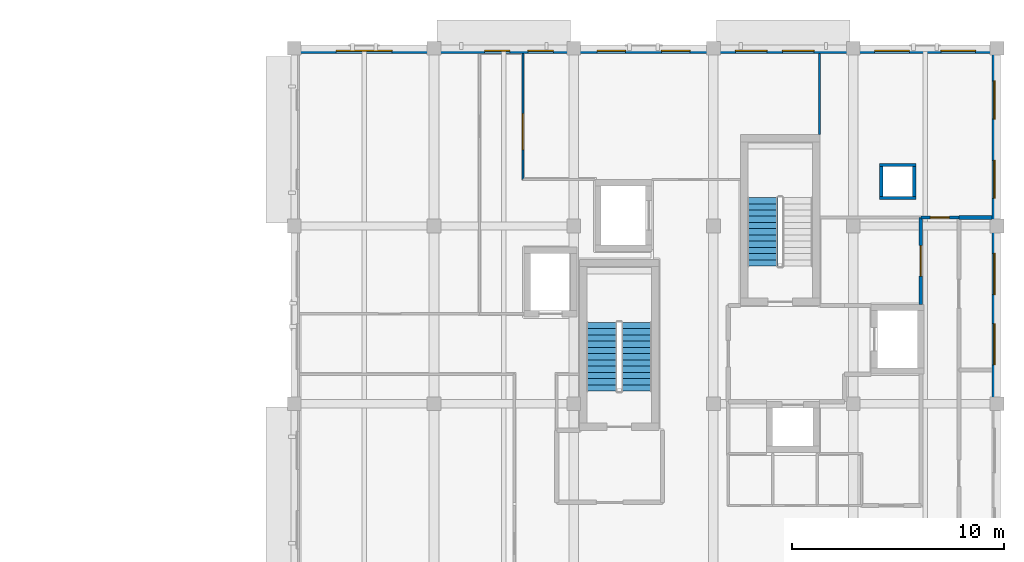
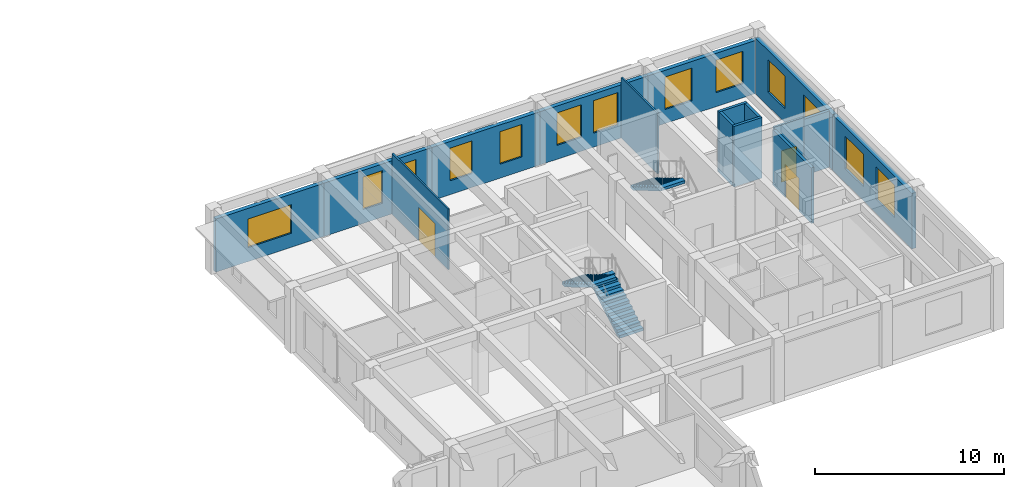
# One storey, part 10 of 14: 16 walls, 13 windows, 3 doors, 3 stair flights, 16 openings, 2 elements without a shape of their own.
"""IFC4 building model written with IfcOpenShell, lengths in metres."""

from ifc_helpers import new_model, si_unit, direction, frame, frame_2d, origin, place, context, subcontext, project, spatial, polyline, rectangle, outline, extrude, material, layer, layer_set, type_object, element, fill, aggregate, save


model = new_model("IFC4")

# Units and contexts
model_context = context("Model", 3, precision=1e-05, world=origin(), true_north=direction((0.0, 1.0)))
body_context = subcontext(model_context, "Body", "Model", "MODEL_VIEW")
ifc_project = project(units=[si_unit("LENGTHUNIT", "METRE"), si_unit("AREAUNIT", "SQUARE_METRE"), si_unit("VOLUMEUNIT", "CUBIC_METRE"), si_unit("PLANEANGLEUNIT", "RADIAN"), si_unit("MASSUNIT", "GRAM", prefix="KILO")], contexts=[model_context])

# Site, building, storey
site_placement = place(None, origin())
site = spatial("IfcSite", under=ifc_project, at=site_placement, CompositionType="ELEMENT")
building_placement = place(site_placement, origin())
building = spatial("IfcBuilding", under=site, at=building_placement, Name="Kolvaren Faculty of Natural Sciences", CompositionType="ELEMENT")
storey_placement = place(building_placement, frame((0.0, 0.0, 28.5)))
storey = spatial("IfcBuildingStorey", under=building, at=storey_placement, Name="L06", CompositionType="ELEMENT", Elevation=28.5)

# Wall, opening, door
ifc_material_1 = material(Name="Acoustic mineral-wool insulated gypsum partition")
ifc_layer_1 = layer(ifc_material_1, 0.159912109375)
ifc_layer_set_1 = layer_set([ifc_layer_1], Name="Acoustic mineral-wool insulated gypsum partition")
wall_type_1 = type_object("IfcWallType", Name="ClassroomPartitionWall_160", PredefinedType="PARTITIONING", material=ifc_layer_set_1)
wall_1_placement = place(storey_placement, frame((168.39990234375, 76.199951171875, 0.0), z_axis=(0.0, 0.0, 1.0), x_axis=(0.0, -1.0, 0.0)))
wall_1 = element("IfcWall", 1, at=wall_1_placement, inside=storey, type_object=wall_type_1, Name="L06 interior partition PW-160", PredefinedType="PARTITIONING", context=body_context, shape_type="SweptSolid", body=[
    extrude(rectangle(XDim=4.097900390625, YDim=0.159912109375, at=frame_2d((2.048828125, 0.0))), origin(), (0.0, 0.0, 1.0), 3.5849609375),
])
opening_1_placement = place(wall_1_placement, frame((1.3291015625, 0.0, 0.0)))
opening_1 = element("IfcOpeningElement", 2, at=opening_1_placement, cuts=wall_1, Name="Opening ID-27", PredefinedType="OPENING", context=body_context, shape_type="SweptSolid", body=[
    extrude(rectangle(XDim=1.43994140625, YDim=2.139892578125, at=frame_2d((0.719970703125, 1.06982421875))), frame((0.0, 0.08984375, 0.0), z_axis=(0.0, -1.0, 0.0), x_axis=(1.0, 0.0, 0.0)), (0.0, 0.0, 1.0), 0.179931640625),
])
ifc_material_2 = material(Name="Thermally broken anodised aluminium glazed door", Category="aluminium")
door_type_1 = type_object("IfcDoorType", Name="InteriorRoomDoor_1440x2140", OperationType="DOUBLE_DOOR_SINGLE_SWING", PredefinedType="DOOR", material=ifc_material_2)
door_1_placement = place(opening_1_placement, origin())
door_1 = element("IfcDoor", 3, at=door_1_placement, inside=storey, type_object=door_type_1, Name="D-L06-0346", OperationType="DOUBLE_DOOR_SINGLE_SWING", OverallHeight=2.139892578125, OverallWidth=1.43994140625, PredefinedType="DOOR", context=body_context, shape_type="SweptSolid", body=[
    extrude(rectangle(XDim=1.43994140625, YDim=2.139892578125, at=frame_2d((0.719970703125, 1.06982421875))), frame((0.0, 0.02490234375, 0.0), z_axis=(0.0, -1.0, 0.0), x_axis=(1.0, 0.0, 0.0)), (0.0, 0.0, 1.0), 0.050048828125),
])
fill(opening_1, door_1)

ifc_layer_2 = layer(ifc_material_1, 0.14501953125)
ifc_layer_set_2 = layer_set([ifc_layer_2], Name="Acoustic mineral-wool insulated gypsum partition")
wall_type_2 = type_object("IfcWallType", Name="CommonsPartitionWall_145", PredefinedType="PARTITIONING", material=ifc_layer_set_2)
wall_2_placement = place(storey_placement, frame((170.199951171875, 76.199951171875, 0.0), z_axis=(0.0, 0.0, 1.0), x_axis=(-1.0, 0.0, 0.0)))
wall_2 = element("IfcWall", 4, at=wall_2_placement, inside=storey, type_object=wall_type_2, Name="L06 interior partition PW-145", PredefinedType="PARTITIONING", context=body_context, shape_type="SweptSolid", body=[
    extrude(rectangle(XDim=1.800048828125, YDim=0.14501953125, at=frame_2d((0.89990234375, 0.0))), origin(), (0.0, 0.0, 1.0), 3.735107421875),
])
opening_2_placement = place(wall_2_placement, frame((0.449951171875, 0.0, 0.0)))
opening_2 = element("IfcOpeningElement", 5, at=opening_2_placement, cuts=wall_2, Name="Opening ID-01", PredefinedType="OPENING", context=body_context, shape_type="SweptSolid", body=[
    extrude(rectangle(XDim=0.89990234375, YDim=2.02001953125, at=frame_2d((0.449951171875, 1.010009765625))), frame((0.0, 0.08251953125, 0.0), z_axis=(0.0, -1.0, 0.0), x_axis=(1.0, 0.0, 0.0)), (0.0, 0.0, 1.0), 0.1650390625),
])
ifc_material_3 = material(Name="Solid-core hardwood veneer door leaf in steel frame", Category="steel")
door_type_2 = type_object("IfcDoorType", Name="InteriorRoomDoor_900x2020", OperationType="NOTDEFINED", PredefinedType="DOOR", material=ifc_material_3)
door_2_placement = place(opening_2_placement, origin())
door_2 = element("IfcDoor", 6, at=door_2_placement, inside=storey, type_object=door_type_2, Name="D-L06-0347", OperationType="SINGLE_SWING_LEFT", OverallHeight=2.02001953125, OverallWidth=0.89990234375, PredefinedType="DOOR", context=body_context, shape_type="SweptSolid", body=[
    extrude(rectangle(XDim=0.89990234375, YDim=2.02001953125, at=frame_2d((0.449951171875, 1.010009765625))), frame((0.0, 0.02490234375, 0.0), z_axis=(0.0, -1.0, 0.0), x_axis=(1.0, 0.0, 0.0)), (0.0, 0.0, 1.0), 0.050048828125),
])
fill(opening_2, door_2)

ifc_layer_3 = layer(ifc_material_1, 0.094970703125)
ifc_layer_set_3 = layer_set([ifc_layer_3], Name="Acoustic mineral-wool insulated gypsum partition")
wall_type_3 = type_object("IfcWallType", Name="CubiclePartition_095", PredefinedType="PARTITIONING", material=ifc_layer_set_3)
wall_3_placement = place(storey_placement, frame((149.60009765625, 78.0, 0.0), z_axis=(0.0, 0.0, 1.0), x_axis=(0.0, 1.0, 0.0)))
wall_3 = element("IfcWall", 7, at=wall_3_placement, inside=storey, type_object=wall_type_3, Name="L06 interior partition PW-095", PredefinedType="PARTITIONING", context=body_context, shape_type="SweptSolid", body=[
    extrude(rectangle(XDim=5.947998046875, YDim=0.094970703125, at=frame_2d((2.97412109375, 0.0))), origin(), (0.0, 0.0, 1.0), 3.9150390625),
])
opening_3_placement = place(wall_3_placement, frame((1.41015625, 0.0, 0.0)))
opening_3 = element("IfcOpeningElement", 8, at=opening_3_placement, cuts=wall_3, Name="Opening ID-30", PredefinedType="OPENING", context=body_context, shape_type="SweptSolid", body=[
    extrude(rectangle(XDim=1.699951171875, YDim=2.139892578125, at=frame_2d((0.85009765625, 1.06982421875))), frame((0.0, 0.057373046875, 0.0), z_axis=(0.0, -1.0, 0.0), x_axis=(1.0, 0.0, 0.0)), (0.0, 0.0, 1.0), 0.114990234375),
])
door_type_3 = type_object("IfcDoorType", Name="InteriorRoomDoor_1700x2140", OperationType="DOUBLE_DOOR_SINGLE_SWING", PredefinedType="DOOR", material=ifc_material_2)
door_3_placement = place(opening_3_placement, origin())
door_3 = element("IfcDoor", 9, at=door_3_placement, inside=storey, type_object=door_type_3, Name="D-L06-0349", OperationType="DOUBLE_DOOR_SINGLE_SWING", OverallHeight=2.139892578125, OverallWidth=1.699951171875, PredefinedType="DOOR", context=body_context, shape_type="SweptSolid", body=[
    extrude(rectangle(XDim=1.699951171875, YDim=2.139892578125, at=frame_2d((0.85009765625, 1.06982421875))), frame((0.0, 0.02490234375, 0.0), z_axis=(0.0, -1.0, 0.0), x_axis=(1.0, 0.0, 0.0)), (0.0, 0.0, 1.0), 0.050048828125),
])
fill(opening_3, door_3)

# Wall
wall_4_placement = place(storey_placement, frame((163.60009765625, 83.947998046875, 0.0), z_axis=(0.0, 0.0, 1.0), x_axis=(0.0, -1.0, 0.0)))
element("IfcWall", 10, at=wall_4_placement, inside=storey, type_object=wall_type_3, Name="L06 interior partition PW-095", PredefinedType="PARTITIONING", context=body_context, shape_type="SweptSolid", body=[
    extrude(rectangle(XDim=3.821044921875, YDim=0.094970703125, at=frame_2d((1.91064453125, 0.0))), origin(), (0.0, 0.0, 1.0), 3.9150390625),
])

# Wall, opening, window
ifc_material_4 = material(Name="Precast concrete C35/45", Category="concrete")
ifc_layer_4 = layer(ifc_material_4, 0.25)
ifc_layer_set_4 = layer_set([ifc_layer_4], Name="Precast concrete C35/45")
wall_type_4 = type_object("IfcWallType", Name="ExteriorTowerWall_250", PredefinedType="STANDARD", material=ifc_layer_set_4)
wall_5_placement = place(storey_placement, frame((138.800048828125, 84.074951171875, 0.0), z_axis=(0.0, 0.0, 1.0), x_axis=(1.0, 0.0, 0.0)))
wall_5 = element("IfcWall", 11, at=wall_5_placement, inside=storey, type_object=wall_type_4, Name="L06 exterior masonry wall EW-250 (692)", PredefinedType="STANDARD", context=body_context, shape_type="SweptSolid", body=[
    extrude(rectangle(XDim=6.599853515625, YDim=0.25, at=frame_2d((3.2998046875, 0.0))), origin(), (0.0, 0.0, 1.0), 3.43505859375),
])
opening_4_placement = place(wall_5_placement, frame((1.97509765625, 0.0, 0.89990234375)))
opening_4 = element("IfcOpeningElement", 12, at=opening_4_placement, cuts=wall_5, Name="Opening WIN-24", PredefinedType="OPENING", context=body_context, shape_type="SweptSolid", body=[
    extrude(rectangle(XDim=2.64990234375, YDim=1.85009765625, at=frame_2d((1.324951171875, 0.925048828125))), frame((0.0, 0.135009765625, 0.0), z_axis=(0.0, -1.0, 0.0), x_axis=(1.0, 0.0, 0.0)), (0.0, 0.0, 1.0), 0.27001953125),
])
ifc_material_5 = material(Name="Double low-E solar control insulated glazing", Category="glass")
window_type_1 = type_object("IfcWindowType", Name="AluWindow_WIN24_2650x1850", PartitioningType="SINGLE_PANEL", PredefinedType="WINDOW", material=ifc_material_5)
window_1_placement = place(opening_4_placement, origin())
window_1 = element("IfcWindow", 13, at=window_1_placement, inside=storey, type_object=window_type_1, Name="WIN-L06-0526", OverallHeight=1.85009765625, OverallWidth=2.64990234375, PartitioningType="SINGLE_PANEL", PredefinedType="WINDOW", context=body_context, shape_type="SweptSolid", body=[
    extrude(rectangle(XDim=2.64990234375, YDim=1.85009765625, at=frame_2d((1.324951171875, 0.925048828125))), frame((0.0, 0.030029296875, 0.0), z_axis=(0.0, -1.0, 0.0), x_axis=(1.0, 0.0, 0.0)), (0.0, 0.0, 1.0), 0.06005859375),
])
fill(opening_4, window_1)

# Wall, openings, windows
wall_6_placement = place(storey_placement, frame((145.39990234375, 84.074951171875, 0.0), z_axis=(0.0, 0.0, 1.0), x_axis=(1.0, 0.0, 0.0)))
wall_6 = element("IfcWall", 14, at=wall_6_placement, inside=storey, type_object=wall_type_4, Name="L06 exterior masonry wall EW-250 (693)", PredefinedType="STANDARD", context=body_context, shape_type="SweptSolid", body=[
    extrude(rectangle(XDim=6.60009765625, YDim=0.25, at=frame_2d((3.300048828125, 0.0))), origin(), (0.0, 0.0, 1.0), 3.43505859375),
])
opening_5_placement = place(wall_6_placement, frame((2.389892578125, 0.0, 0.89990234375)))
opening_5 = element("IfcOpeningElement", 15, at=opening_5_placement, cuts=wall_6, Name="Opening WIN-01", PredefinedType="OPENING", context=body_context, shape_type="SweptSolid", body=[
    extrude(rectangle(XDim=1.199951171875, YDim=2.10009765625, at=frame_2d((0.60009765625, 1.050048828125))), frame((0.0, 0.135009765625, 0.0), z_axis=(0.0, -1.0, 0.0), x_axis=(1.0, 0.0, 0.0)), (0.0, 0.0, 1.0), 0.27001953125),
])
opening_6_placement = place(wall_6_placement, frame((4.43994140625, 0.0, 0.89990234375)))
opening_6 = element("IfcOpeningElement", 16, at=opening_6_placement, cuts=wall_6, Name="Opening WIN-01", PredefinedType="OPENING", context=body_context, shape_type="SweptSolid", body=[
    extrude(rectangle(XDim=1.199951171875, YDim=2.10009765625, at=frame_2d((0.60009765625, 1.050048828125))), frame((0.0, 0.135009765625, 0.0), z_axis=(0.0, -1.0, 0.0), x_axis=(1.0, 0.0, 0.0)), (0.0, 0.0, 1.0), 0.27001953125),
])
window_type_2 = type_object("IfcWindowType", Name="AluWindow_WIN01_1200x2100", PartitioningType="SINGLE_PANEL", PredefinedType="WINDOW", material=ifc_material_5)
window_2_placement = place(opening_5_placement, origin())
window_2 = element("IfcWindow", 17, at=window_2_placement, inside=storey, type_object=window_type_2, Name="WIN-L06-0527", OverallHeight=2.10009765625, OverallWidth=1.199951171875, PartitioningType="SINGLE_PANEL", PredefinedType="WINDOW", context=body_context, shape_type="SweptSolid", body=[
    extrude(rectangle(XDim=1.199951171875, YDim=2.10009765625, at=frame_2d((0.60009765625, 1.050048828125))), frame((0.0, 0.030029296875, 0.0), z_axis=(0.0, -1.0, 0.0), x_axis=(1.0, 0.0, 0.0)), (0.0, 0.0, 1.0), 0.06005859375),
])
fill(opening_5, window_2)
window_3_placement = place(opening_6_placement, origin())
window_3 = element("IfcWindow", 18, at=window_3_placement, inside=storey, type_object=window_type_2, Name="WIN-L06-0528", OverallHeight=2.10009765625, OverallWidth=1.199951171875, PartitioningType="SINGLE_PANEL", PredefinedType="WINDOW", context=body_context, shape_type="SweptSolid", body=[
    extrude(rectangle(XDim=1.199951171875, YDim=2.10009765625, at=frame_2d((0.60009765625, 1.050048828125))), frame((0.0, 0.030029296875, 0.0), z_axis=(0.0, -1.0, 0.0), x_axis=(1.0, 0.0, 0.0)), (0.0, 0.0, 1.0), 0.06005859375),
])
fill(opening_6, window_3)

wall_7_placement = place(storey_placement, frame((152.0, 84.074951171875, 0.0), z_axis=(0.0, 0.0, 1.0), x_axis=(1.0, 0.0, 0.0)))
wall_7 = element("IfcWall", 19, at=wall_7_placement, inside=storey, type_object=wall_type_4, Name="L06 exterior masonry wall EW-250 (694)", PredefinedType="STANDARD", context=body_context, shape_type="SweptSolid", body=[
    extrude(rectangle(XDim=6.60009765625, YDim=0.25, at=frame_2d((3.300048828125, 0.0))), origin(), (0.0, 0.0, 1.0), 3.43505859375),
])
opening_7_placement = place(wall_7_placement, frame((1.10693359375, 0.0, 0.89990234375)))
opening_7 = element("IfcOpeningElement", 20, at=opening_7_placement, cuts=wall_7, Name="Opening WIN-02", PredefinedType="OPENING", context=body_context, shape_type="SweptSolid", body=[
    extrude(rectangle(XDim=1.35009765625, YDim=2.10009765625, at=frame_2d((0.675048828125, 1.050048828125))), frame((0.0, 0.135009765625, 0.0), z_axis=(0.0, -1.0, 0.0), x_axis=(1.0, 0.0, 0.0)), (0.0, 0.0, 1.0), 0.27001953125),
])
opening_8_placement = place(wall_7_placement, frame((4.14306640625, 0.0, 0.89990234375)))
opening_8 = element("IfcOpeningElement", 21, at=opening_8_placement, cuts=wall_7, Name="Opening WIN-02", PredefinedType="OPENING", context=body_context, shape_type="SweptSolid", body=[
    extrude(rectangle(XDim=1.35009765625, YDim=2.10009765625, at=frame_2d((0.675048828125, 1.050048828125))), frame((0.0, 0.135009765625, 0.0), z_axis=(0.0, -1.0, 0.0), x_axis=(1.0, 0.0, 0.0)), (0.0, 0.0, 1.0), 0.27001953125),
])
window_type_3 = type_object("IfcWindowType", Name="AluWindow_WIN02_1350x2100", PartitioningType="SINGLE_PANEL", PredefinedType="WINDOW", material=ifc_material_5)
window_4_placement = place(opening_7_placement, origin())
window_4 = element("IfcWindow", 22, at=window_4_placement, inside=storey, type_object=window_type_3, Name="WIN-L06-0529", OverallHeight=2.10009765625, OverallWidth=1.35009765625, PartitioningType="SINGLE_PANEL", PredefinedType="WINDOW", context=body_context, shape_type="SweptSolid", body=[
    extrude(rectangle(XDim=1.35009765625, YDim=2.10009765625, at=frame_2d((0.675048828125, 1.050048828125))), frame((0.0, 0.030029296875, 0.0), z_axis=(0.0, -1.0, 0.0), x_axis=(1.0, 0.0, 0.0)), (0.0, 0.0, 1.0), 0.06005859375),
])
fill(opening_7, window_4)
window_5_placement = place(opening_8_placement, origin())
window_5 = element("IfcWindow", 23, at=window_5_placement, inside=storey, type_object=window_type_3, Name="WIN-L06-0530", OverallHeight=2.10009765625, OverallWidth=1.35009765625, PartitioningType="SINGLE_PANEL", PredefinedType="WINDOW", context=body_context, shape_type="SweptSolid", body=[
    extrude(rectangle(XDim=1.35009765625, YDim=2.10009765625, at=frame_2d((0.675048828125, 1.050048828125))), frame((0.0, 0.030029296875, 0.0), z_axis=(0.0, -1.0, 0.0), x_axis=(1.0, 0.0, 0.0)), (0.0, 0.0, 1.0), 0.06005859375),
])
fill(opening_8, window_5)

wall_8_placement = place(storey_placement, frame((158.60009765625, 84.074951171875, 0.0), z_axis=(0.0, 0.0, 1.0), x_axis=(1.0, 0.0, 0.0)))
wall_8 = element("IfcWall", 24, at=wall_8_placement, inside=storey, type_object=wall_type_4, Name="L06 exterior masonry wall EW-250 (695)", PredefinedType="STANDARD", context=body_context, shape_type="SweptSolid", body=[
    extrude(rectangle(XDim=6.599853515625, YDim=0.25, at=frame_2d((3.2998046875, 0.0))), origin(), (0.0, 0.0, 1.0), 3.43505859375),
])
opening_9_placement = place(wall_8_placement, frame((1.031982421875, 0.0, 0.89990234375)))
opening_9 = element("IfcOpeningElement", 25, at=opening_9_placement, cuts=wall_8, Name="Opening WIN-03", PredefinedType="OPENING", context=body_context, shape_type="SweptSolid", body=[
    extrude(rectangle(XDim=1.5, YDim=2.10009765625, at=frame_2d((0.75, 1.050048828125))), frame((0.0, 0.135009765625, 0.0), z_axis=(0.0, -1.0, 0.0), x_axis=(1.0, 0.0, 0.0)), (0.0, 0.0, 1.0), 0.27001953125),
])
opening_10_placement = place(wall_8_placement, frame((3.260009765625, 0.0, 0.89990234375)))
opening_10 = element("IfcOpeningElement", 26, at=opening_10_placement, cuts=wall_8, Name="Opening WIN-03", PredefinedType="OPENING", context=body_context, shape_type="SweptSolid", body=[
    extrude(rectangle(XDim=1.5, YDim=2.10009765625, at=frame_2d((0.75, 1.050048828125))), frame((0.0, 0.135009765625, 0.0), z_axis=(0.0, -1.0, 0.0), x_axis=(1.0, 0.0, 0.0)), (0.0, 0.0, 1.0), 0.27001953125),
])
window_type_4 = type_object("IfcWindowType", Name="AluWindow_WIN03_1500x2100", PartitioningType="SINGLE_PANEL", PredefinedType="WINDOW", material=ifc_material_5)
window_6_placement = place(opening_9_placement, origin())
window_6 = element("IfcWindow", 27, at=window_6_placement, inside=storey, type_object=window_type_4, Name="WIN-L06-0531", OverallHeight=2.10009765625, OverallWidth=1.5, PartitioningType="SINGLE_PANEL", PredefinedType="WINDOW", context=body_context, shape_type="SweptSolid", body=[
    extrude(rectangle(XDim=1.5, YDim=2.10009765625, at=frame_2d((0.75, 1.050048828125))), frame((0.0, 0.030029296875, 0.0), z_axis=(0.0, -1.0, 0.0), x_axis=(1.0, 0.0, 0.0)), (0.0, 0.0, 1.0), 0.06005859375),
])
fill(opening_9, window_6)
window_7_placement = place(opening_10_placement, origin())
window_7 = element("IfcWindow", 28, at=window_7_placement, inside=storey, type_object=window_type_4, Name="WIN-L06-0532", OverallHeight=2.10009765625, OverallWidth=1.5, PartitioningType="SINGLE_PANEL", PredefinedType="WINDOW", context=body_context, shape_type="SweptSolid", body=[
    extrude(rectangle(XDim=1.5, YDim=2.10009765625, at=frame_2d((0.75, 1.050048828125))), frame((0.0, 0.030029296875, 0.0), z_axis=(0.0, -1.0, 0.0), x_axis=(1.0, 0.0, 0.0)), (0.0, 0.0, 1.0), 0.06005859375),
])
fill(opening_10, window_7)

wall_9_placement = place(storey_placement, frame((165.199951171875, 84.074951171875, 0.0), z_axis=(0.0, 0.0, 1.0), x_axis=(1.0, 0.0, 0.0)))
wall_9 = element("IfcWall", 29, at=wall_9_placement, inside=storey, type_object=wall_type_4, Name="L06 exterior masonry wall EW-250 (696)", PredefinedType="STANDARD", context=body_context, shape_type="SweptSolid", body=[
    extrude(rectangle(XDim=6.800048828125, YDim=0.25, at=frame_2d((3.39990234375, 0.0))), origin(), (0.0, 0.0, 1.0), 3.43505859375),
])
opening_11_placement = place(wall_9_placement, frame((1.010986328125, 0.0, 0.89990234375)))
opening_11 = element("IfcOpeningElement", 30, at=opening_11_placement, cuts=wall_9, Name="Opening WIN-04", PredefinedType="OPENING", context=body_context, shape_type="SweptSolid", body=[
    extrude(rectangle(XDim=1.64990234375, YDim=2.10009765625, at=frame_2d((0.824951171875, 1.050048828125))), frame((0.0, 0.135009765625, 0.0), z_axis=(0.0, -1.0, 0.0), x_axis=(1.0, 0.0, 0.0)), (0.0, 0.0, 1.0), 0.27001953125),
])
opening_12_placement = place(wall_9_placement, frame((4.138916015625, 0.0, 0.89990234375)))
opening_12 = element("IfcOpeningElement", 31, at=opening_12_placement, cuts=wall_9, Name="Opening WIN-04", PredefinedType="OPENING", context=body_context, shape_type="SweptSolid", body=[
    extrude(rectangle(XDim=1.64990234375, YDim=2.10009765625, at=frame_2d((0.824951171875, 1.050048828125))), frame((0.0, 0.135009765625, 0.0), z_axis=(0.0, -1.0, 0.0), x_axis=(1.0, 0.0, 0.0)), (0.0, 0.0, 1.0), 0.27001953125),
])
window_type_5 = type_object("IfcWindowType", Name="AluWindow_WIN04_1650x2100", PartitioningType="SINGLE_PANEL", PredefinedType="WINDOW", material=ifc_material_5)
window_8_placement = place(opening_11_placement, origin())
window_8 = element("IfcWindow", 32, at=window_8_placement, inside=storey, type_object=window_type_5, Name="WIN-L06-0533", OverallHeight=2.10009765625, OverallWidth=1.64990234375, PartitioningType="SINGLE_PANEL", PredefinedType="WINDOW", context=body_context, shape_type="SweptSolid", body=[
    extrude(rectangle(XDim=1.64990234375, YDim=2.10009765625, at=frame_2d((0.824951171875, 1.050048828125))), frame((0.0, 0.030029296875, 0.0), z_axis=(0.0, -1.0, 0.0), x_axis=(1.0, 0.0, 0.0)), (0.0, 0.0, 1.0), 0.06005859375),
])
fill(opening_11, window_8)
window_9_placement = place(opening_12_placement, origin())
window_9 = element("IfcWindow", 33, at=window_9_placement, inside=storey, type_object=window_type_5, Name="WIN-L06-0534", OverallHeight=2.10009765625, OverallWidth=1.64990234375, PartitioningType="SINGLE_PANEL", PredefinedType="WINDOW", context=body_context, shape_type="SweptSolid", body=[
    extrude(rectangle(XDim=1.64990234375, YDim=2.10009765625, at=frame_2d((0.824951171875, 1.050048828125))), frame((0.0, 0.030029296875, 0.0), z_axis=(0.0, -1.0, 0.0), x_axis=(1.0, 0.0, 0.0)), (0.0, 0.0, 1.0), 0.06005859375),
])
fill(opening_12, window_9)

wall_10_placement = place(storey_placement, frame((171.875, 83.949951171875, 0.0), z_axis=(0.0, 0.0, 1.0), x_axis=(0.0, -1.0, 0.0)))
wall_10 = element("IfcWall", 34, at=wall_10_placement, inside=storey, type_object=wall_type_4, Name="L06 exterior masonry wall EW-250 (697)", PredefinedType="STANDARD", context=body_context, shape_type="SweptSolid", body=[
    extrude(rectangle(XDim=8.14990234375, YDim=0.25, at=frame_2d((4.074951171875, 0.0))), origin(), (0.0, 0.0, 1.0), 3.5849609375),
])
opening_13_placement = place(wall_10_placement, frame((1.300537109375, 0.0, 0.89990234375)))
opening_13 = element("IfcOpeningElement", 35, at=opening_13_placement, cuts=wall_10, Name="Opening WIN-05", PredefinedType="OPENING", context=body_context, shape_type="SweptSolid", body=[
    extrude(rectangle(XDim=1.800048828125, YDim=2.10009765625, at=frame_2d((0.89990234375, 1.050048828125))), frame((0.0, 0.135009765625, 0.0), z_axis=(0.0, -1.0, 0.0), x_axis=(1.0, 0.0, 0.0)), (0.0, 0.0, 1.0), 0.27001953125),
])
opening_14_placement = place(wall_10_placement, frame((5.049560546875, 0.0, 0.89990234375)))
opening_14 = element("IfcOpeningElement", 36, at=opening_14_placement, cuts=wall_10, Name="Opening WIN-05", PredefinedType="OPENING", context=body_context, shape_type="SweptSolid", body=[
    extrude(rectangle(XDim=1.800048828125, YDim=2.10009765625, at=frame_2d((0.89990234375, 1.050048828125))), frame((0.0, 0.135009765625, 0.0), z_axis=(0.0, -1.0, 0.0), x_axis=(1.0, 0.0, 0.0)), (0.0, 0.0, 1.0), 0.27001953125),
])
window_type_6 = type_object("IfcWindowType", Name="AluWindow_WIN05_1800x2100", PartitioningType="SINGLE_PANEL", PredefinedType="WINDOW", material=ifc_material_5)
window_10_placement = place(opening_13_placement, origin())
window_10 = element("IfcWindow", 37, at=window_10_placement, inside=storey, type_object=window_type_6, Name="WIN-L06-0535", OverallHeight=2.10009765625, OverallWidth=1.800048828125, PartitioningType="SINGLE_PANEL", PredefinedType="WINDOW", context=body_context, shape_type="SweptSolid", body=[
    extrude(rectangle(XDim=1.800048828125, YDim=2.10009765625, at=frame_2d((0.89990234375, 1.050048828125))), frame((0.0, 0.030029296875, 0.0), z_axis=(0.0, -1.0, 0.0), x_axis=(1.0, 0.0, 0.0)), (0.0, 0.0, 1.0), 0.06005859375),
])
fill(opening_13, window_10)
window_11_placement = place(opening_14_placement, origin())
window_11 = element("IfcWindow", 38, at=window_11_placement, inside=storey, type_object=window_type_6, Name="WIN-L06-0536", OverallHeight=2.10009765625, OverallWidth=1.800048828125, PartitioningType="SINGLE_PANEL", PredefinedType="WINDOW", context=body_context, shape_type="SweptSolid", body=[
    extrude(rectangle(XDim=1.800048828125, YDim=2.10009765625, at=frame_2d((0.89990234375, 1.050048828125))), frame((0.0, 0.030029296875, 0.0), z_axis=(0.0, -1.0, 0.0), x_axis=(1.0, 0.0, 0.0)), (0.0, 0.0, 1.0), 0.06005859375),
])
fill(opening_14, window_11)

wall_11_placement = place(storey_placement, frame((171.875, 75.800048828125, 0.0), z_axis=(0.0, 0.0, 1.0), x_axis=(0.0, -1.0, 0.0)))
wall_11 = element("IfcWall", 39, at=wall_11_placement, inside=storey, type_object=wall_type_4, Name="L06 exterior masonry wall EW-250 (698)", PredefinedType="STANDARD", context=body_context, shape_type="SweptSolid", body=[
    extrude(rectangle(XDim=8.400146484375, YDim=0.25, at=frame_2d((4.2001953125, 0.0))), origin(), (0.0, 0.0, 1.0), 3.5849609375),
])
opening_15_placement = place(wall_11_placement, frame((1.29296875, 0.0, 0.89990234375)))
opening_15 = element("IfcOpeningElement", 40, at=opening_15_placement, cuts=wall_11, Name="Opening WIN-06", PredefinedType="OPENING", context=body_context, shape_type="SweptSolid", body=[
    extrude(rectangle(XDim=1.949951171875, YDim=2.10009765625, at=frame_2d((0.97509765625, 1.050048828125))), frame((0.0, 0.135009765625, 0.0), z_axis=(0.0, -1.0, 0.0), x_axis=(1.0, 0.0, 0.0)), (0.0, 0.0, 1.0), 0.27001953125),
])
opening_16_placement = place(wall_11_placement, frame((4.610107421875, 0.0, 0.89990234375)))
opening_16 = element("IfcOpeningElement", 41, at=opening_16_placement, cuts=wall_11, Name="Opening WIN-06", PredefinedType="OPENING", context=body_context, shape_type="SweptSolid", body=[
    extrude(rectangle(XDim=1.949951171875, YDim=2.10009765625, at=frame_2d((0.97509765625, 1.050048828125))), frame((0.0, 0.135009765625, 0.0), z_axis=(0.0, -1.0, 0.0), x_axis=(1.0, 0.0, 0.0)), (0.0, 0.0, 1.0), 0.27001953125),
])
window_type_7 = type_object("IfcWindowType", Name="AluWindow_WIN06_1950x2100", PartitioningType="SINGLE_PANEL", PredefinedType="WINDOW", material=ifc_material_5)
window_12_placement = place(opening_15_placement, origin())
window_12 = element("IfcWindow", 42, at=window_12_placement, inside=storey, type_object=window_type_7, Name="WIN-L06-0537", OverallHeight=2.10009765625, OverallWidth=1.949951171875, PartitioningType="SINGLE_PANEL", PredefinedType="WINDOW", context=body_context, shape_type="SweptSolid", body=[
    extrude(rectangle(XDim=1.949951171875, YDim=2.10009765625, at=frame_2d((0.97509765625, 1.050048828125))), frame((0.0, 0.030029296875, 0.0), z_axis=(0.0, -1.0, 0.0), x_axis=(1.0, 0.0, 0.0)), (0.0, 0.0, 1.0), 0.06005859375),
])
fill(opening_15, window_12)
window_13_placement = place(opening_16_placement, origin())
window_13 = element("IfcWindow", 43, at=window_13_placement, inside=storey, type_object=window_type_7, Name="WIN-L06-0538", OverallHeight=2.10009765625, OverallWidth=1.949951171875, PartitioningType="SINGLE_PANEL", PredefinedType="WINDOW", context=body_context, shape_type="SweptSolid", body=[
    extrude(rectangle(XDim=1.949951171875, YDim=2.10009765625, at=frame_2d((0.97509765625, 1.050048828125))), frame((0.0, 0.030029296875, 0.0), z_axis=(0.0, -1.0, 0.0), x_axis=(1.0, 0.0, 0.0)), (0.0, 0.0, 1.0), 0.06005859375),
])
fill(opening_16, window_13)

# Walls
ifc_material_6 = material(Name="Double fire-rated gypsum board on 100 mm steel stud", Category="steel")
ifc_layer_5 = layer(ifc_material_6, 0.159912109375)
ifc_layer_set_5 = layer_set([ifc_layer_5], Name="Double fire-rated gypsum board on 100 mm steel stud")
wall_type_5 = type_object("IfcWallType", Name="RiserShaftWall_160", PredefinedType="PARTITIONING", material=ifc_layer_set_5)
for number, where, z_axis, x_axis, name in (
    (44, (166.43994140625, 77.1201171875, 0.0), (0.0, 0.0, 1.0), (1.0, 0.0, 0.0), "L06 service riser shaft wall S"),
    (45, (166.43994140625, 78.679931640625, 0.0), (0.0, 0.0, 1.0), (1.0, 0.0, 0.0), "L06 service riser shaft wall N"),
):
    element("IfcWall", number, at=place(storey_placement, frame(where, z_axis=z_axis, x_axis=x_axis)), inside=storey, type_object=wall_type_5, Name=name, PredefinedType="PARTITIONING", context=body_context, shape_type="SweptSolid", body=[
        extrude(rectangle(XDim=1.719970703125, YDim=0.159912109375, at=frame_2d((0.85986328125, 0.0))), origin(), (0.0, 0.0, 1.0), 3.9150390625),
    ])
for number, where, z_axis, x_axis, name in (
    (46, (166.52001953125, 77.199951171875, 0.0), (0.0, 0.0, 1.0), (0.0, 1.0, 0.0), "L06 service riser shaft wall W"),
    (47, (168.080078125, 77.199951171875, 0.0), (0.0, 0.0, 1.0), (0.0, 1.0, 0.0), "L06 service riser shaft wall E"),
):
    element("IfcWall", number, at=place(storey_placement, frame(where, z_axis=z_axis, x_axis=x_axis)), inside=storey, type_object=wall_type_5, Name=name, PredefinedType="PARTITIONING", context=body_context, shape_type="SweptSolid", body=[
        extrude(rectangle(XDim=1.400146484375, YDim=0.159912109375, at=frame_2d((0.7001953125, 0.0))), origin(), (0.0, 0.0, 1.0), 3.9150390625),
    ])
ifc_layer_6 = layer(ifc_material_1, 0.169921875)
ifc_layer_set_6 = layer_set([ifc_layer_6], Name="Acoustic mineral-wool insulated gypsum partition")
wall_type_6 = type_object("IfcWallType", Name="SeminarPartitionWall_170", PredefinedType="PARTITIONING", material=ifc_layer_set_6)
wall_12_placement = place(storey_placement, frame((170.199951171875, 76.199951171875, 0.0), z_axis=(0.0, 0.0, 1.0), x_axis=(1.0, 0.0, 0.0)))
element("IfcWall", 48, at=wall_12_placement, inside=storey, type_object=wall_type_6, Name="L06 interior partition PW-170", PredefinedType="PARTITIONING", context=body_context, shape_type="SweptSolid", body=[
    extrude(rectangle(XDim=1.548095703125, YDim=0.169921875, at=frame_2d((0.77392578125, 0.0))), origin(), (0.0, 0.0, 1.0), 3.635009765625),
])

# Stair, stair flight
ifc_material_7 = material(Name="Concrete C35/45", Category="concrete")
stair_type = type_object("IfcStairType", Name="DoglegStair_H4200", PredefinedType="HALF_TURN_STAIR", material=ifc_material_7)
stair_1_placement = place(storey_placement, origin())
stair_1 = element("IfcStair", 49, at=stair_1_placement, inside=storey, type_object=stair_type, Name="L06 Protected exit stair ST-1", PredefinedType="HALF_TURN_STAIR")
stair_flight_type = type_object("IfcStairFlightType", Name="StairFlight_R1750", PredefinedType="STRAIGHT", material=ifc_material_7)
stair_flight_1_placement = place(storey_placement, frame((160.925048828125, 77.14501953125, 2.10009765625), z_axis=(0.0, 0.0, 1.0), x_axis=(0.0, -1.0, 0.0)))
stair_flight_1 = element("IfcStairFlight", 50, at=stair_flight_1_placement, type_object=stair_flight_type, Name="ST-1 flight 2", NumberOfRisers=12, NumberOfTreads=11, PredefinedType="STRAIGHT", RiserHeight=0.175, TreadLength=0.295, context=body_context, shape_type="SweptSolid", body=[
    extrude(outline(polyline([(0.0, 0.0), (0.0, 0.175048828125), (0.294921875, 0.175048828125), (0.294921875, 0.35009765625), (0.590087890625, 0.35009765625), (0.590087890625, 0.52490234375), (0.885009765625, 0.52490234375), (0.885009765625, 0.699951171875), (1.179931640625, 0.699951171875), (1.179931640625, 0.875), (1.47509765625, 0.875), (1.47509765625, 1.050048828125), (1.77001953125, 1.050048828125), (1.77001953125, 1.22509765625), (2.06494140625, 1.22509765625), (2.06494140625, 1.39990234375), (2.360107421875, 1.39990234375), (2.360107421875, 1.574951171875), (2.655029296875, 1.574951171875), (2.655029296875, 1.75), (2.949951171875, 1.75), (2.949951171875, 1.925048828125), (3.2451171875, 1.925048828125), (3.2451171875, 2.10009765625), (3.2451171875, 1.750732421875), (0.293701171875, 0.0), (0.0, 0.0)])), frame((0.0, 0.72509765625, 0.0), z_axis=(0.0, -1.0, 0.0), x_axis=(1.0, 0.0, 0.0)), (0.0, 0.0, 1.0), 1.449951171875),
])
aggregate(stair_1, [stair_flight_1])

# Stair, stair flights
stair_2_placement = place(storey_placement, origin())
stair_2 = element("IfcStair", 51, at=stair_2_placement, inside=storey, type_object=stair_type, Name="L06 Protected exit stair ST-2", PredefinedType="HALF_TURN_STAIR")
stair_flight_2_placement = place(storey_placement, frame((154.97509765625, 68.0, 0.0), z_axis=(0.0, 0.0, 1.0), x_axis=(0.0, 1.0, 0.0)))
stair_flight_2 = element("IfcStairFlight", 52, at=stair_flight_2_placement, type_object=stair_flight_type, Name="ST-2 flight 1", NumberOfRisers=12, NumberOfTreads=11, PredefinedType="STRAIGHT", RiserHeight=0.175, TreadLength=0.295, context=body_context, shape_type="SweptSolid", body=[
    extrude(outline(polyline([(0.0, 0.0), (0.0, 0.175048828125), (0.294921875, 0.175048828125), (0.294921875, 0.35009765625), (0.590087890625, 0.35009765625), (0.590087890625, 0.52490234375), (0.885009765625, 0.52490234375), (0.885009765625, 0.699951171875), (1.179931640625, 0.699951171875), (1.179931640625, 0.875), (1.47509765625, 0.875), (1.47509765625, 1.050048828125), (1.77001953125, 1.050048828125), (1.77001953125, 1.22509765625), (2.06494140625, 1.22509765625), (2.06494140625, 1.39990234375), (2.360107421875, 1.39990234375), (2.360107421875, 1.574951171875), (2.655029296875, 1.574951171875), (2.655029296875, 1.75), (2.949951171875, 1.75), (2.949951171875, 1.925048828125), (3.2451171875, 1.925048828125), (3.2451171875, 2.10009765625), (3.2451171875, 1.750732421875), (0.293701171875, 0.0), (0.0, 0.0)])), frame((0.0, 0.72509765625, 0.0), z_axis=(0.0, -1.0, 0.0), x_axis=(1.0, 0.0, 0.0)), (0.0, 0.0, 1.0), 1.449951171875),
])
stair_flight_3_placement = place(storey_placement, frame((153.324951171875, 71.2451171875, 2.10009765625), z_axis=(0.0, 0.0, 1.0), x_axis=(0.0, -1.0, 0.0)))
stair_flight_3 = element("IfcStairFlight", 53, at=stair_flight_3_placement, type_object=stair_flight_type, Name="ST-2 flight 2", NumberOfRisers=12, NumberOfTreads=11, PredefinedType="STRAIGHT", RiserHeight=0.175, TreadLength=0.295, context=body_context, shape_type="SweptSolid", body=[
    extrude(outline(polyline([(0.0, 0.0), (0.0, 0.175048828125), (0.294921875, 0.175048828125), (0.294921875, 0.35009765625), (0.590087890625, 0.35009765625), (0.590087890625, 0.52490234375), (0.885009765625, 0.52490234375), (0.885009765625, 0.699951171875), (1.179931640625, 0.699951171875), (1.179931640625, 0.875), (1.47509765625, 0.875), (1.47509765625, 1.050048828125), (1.77001953125, 1.050048828125), (1.77001953125, 1.22509765625), (2.06494140625, 1.22509765625), (2.06494140625, 1.39990234375), (2.360107421875, 1.39990234375), (2.360107421875, 1.574951171875), (2.655029296875, 1.574951171875), (2.655029296875, 1.75), (2.949951171875, 1.75), (2.949951171875, 1.925048828125), (3.2451171875, 1.925048828125), (3.2451171875, 2.10009765625), (3.2451171875, 1.750732421875), (0.293701171875, 0.0), (0.0, 0.0)])), frame((0.0, 0.72509765625, 0.0), z_axis=(0.0, -1.0, 0.0), x_axis=(1.0, 0.0, 0.0)), (0.0, 0.0, 1.0), 1.449951171875),
])
aggregate(stair_2, [stair_flight_2, stair_flight_3])

save(model, "model.ifc")
